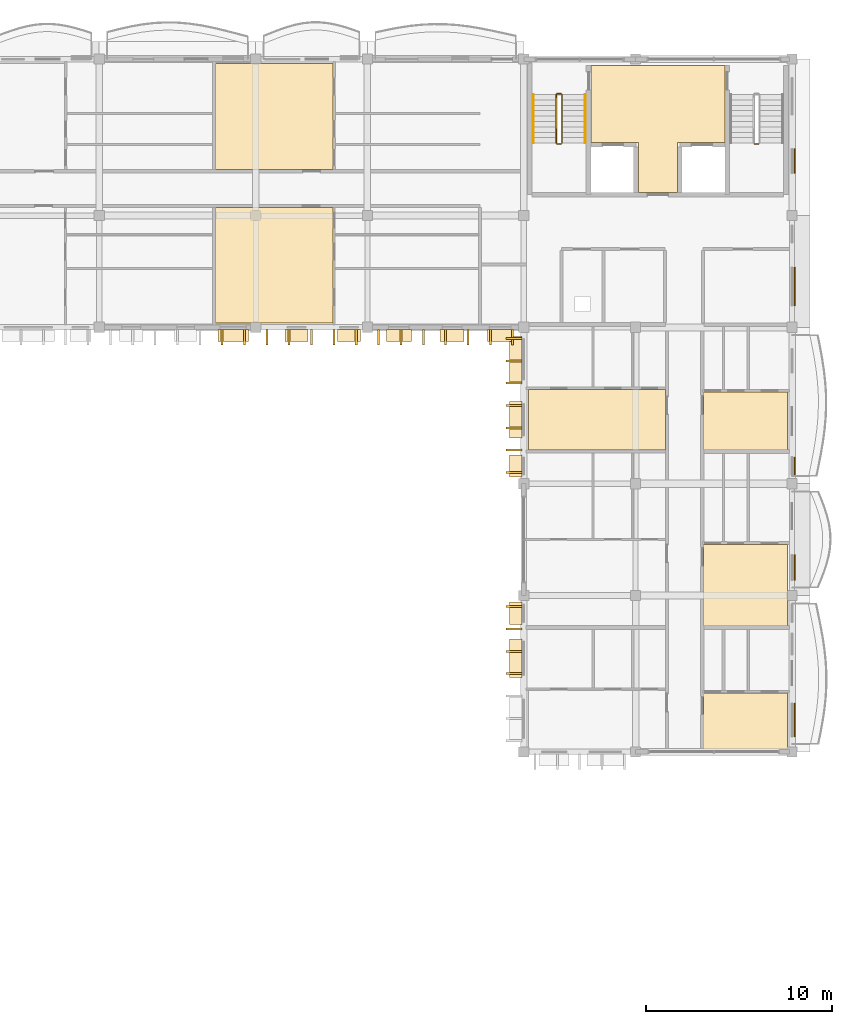
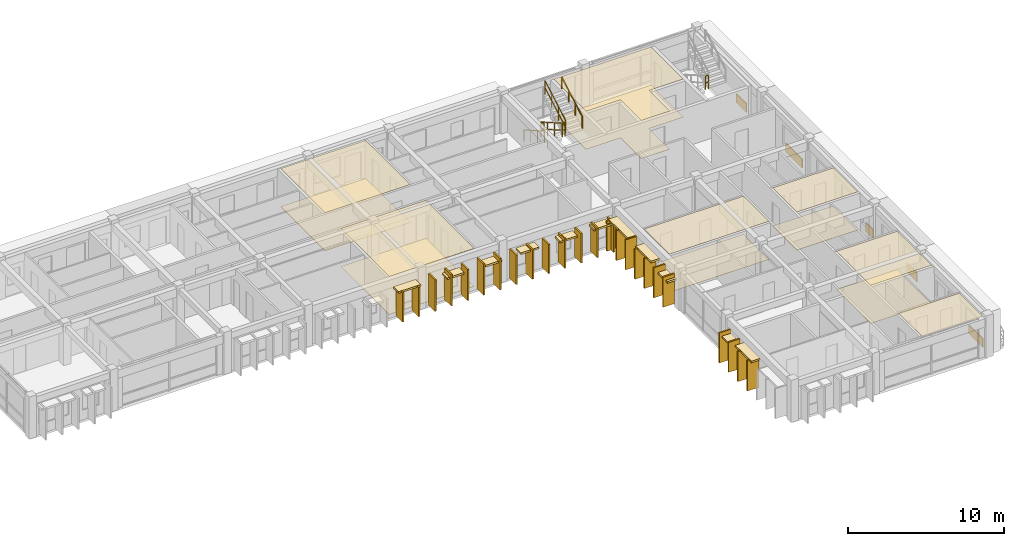
# One storey, part 28 of 31: 54 coverings, 7 railings.
"""IFC4 building model written with IfcOpenShell, lengths in metres."""

import ifcopenshell
import ifcopenshell.guid

model = None  # the IFC model being written
_history = None  # IfcOwnerHistory: only IFC2X3 demands one
_inside = {}  # id of a spatial element -> (the spatial element, [elements in it])
_under = {}  # id of a project, library or spatial element -> (it, [spatial elements below it])
_declared = {}  # id of a project -> (the project, [libraries it declares])
_typed = {}  # id of a type object -> (the type object, [elements of that type])
_made_of = {}  # id of a material, layer set ... -> (it, [elements and type objects made of it])


def new_model(schema):
    """Start an empty IFC model of exactly this schema.

    Asked for "IFC4X3", IfcOpenShell would pick the latest addendum, in which some entities
    have other attributes; the version numbers below select the first issue.
    IFC2X3 requires an IfcOwnerHistory on every rooted entity: one is made here for all.
    """
    global model, _history
    if schema == "IFC4X3":
        model = ifcopenshell.file(schema_version=(4, 3, 0, 0))
    else:
        model = ifcopenshell.file(schema=schema)
    _inside.clear()
    _under.clear()
    _declared.clear()
    _typed.clear()
    _made_of.clear()
    _history = None
    if model.schema == "IFC2X3":
        org = make("IfcOrganization", Name="unknown")
        user = make(
            "IfcPersonAndOrganization",
            ThePerson=make("IfcPerson", FamilyName="unknown"),
            TheOrganization=org,
        )
        app = make(
            "IfcApplication",
            ApplicationDeveloper=org,
            Version="unknown",
            ApplicationFullName="unknown",
            ApplicationIdentifier="unknown",
        )
        _history = make(
            "IfcOwnerHistory",
            OwningUser=user,
            OwningApplication=app,
            ChangeAction="ADDED",
            CreationDate=0,
        )
    return model


def make(cls, **values):
    """One entity of the class cls with the attributes given. An attribute that is None is left unset."""
    return model.create_entity(
        cls, **{name: value for name, value in values.items() if value is not None}
    )


def rooted(cls, **values):
    """An entity with a GlobalId (a new one), such as an element, a storey or a relation."""
    return make(cls, GlobalId=ifcopenshell.guid.new(), OwnerHistory=_history, **values)


def si_unit(unit_type, name, prefix=None):
    """IfcSIUnit, for example si_unit("LENGTHUNIT", "METRE", prefix="MILLI")."""
    return make("IfcSIUnit", UnitType=unit_type, Prefix=prefix, Name=name)


def assignment(units):
    """IfcUnitAssignment: the units of a project."""
    return None if units is None else make("IfcUnitAssignment", Units=units)


def point(xyz):
    """IfcCartesianPoint."""
    return None if xyz is None else make("IfcCartesianPoint", Coordinates=xyz)


def direction(xyz):
    """IfcDirection."""
    return None if xyz is None else make("IfcDirection", DirectionRatios=xyz)


def frame(location, z_axis=None, x_axis=None):
    """IfcAxis2Placement3D, a coordinate frame: its origin and axes. An axis left out is left unset."""
    return make(
        "IfcAxis2Placement3D",
        Location=point(location),
        Axis=direction(z_axis),
        RefDirection=direction(x_axis),
    )


def frame_2d(location, x_axis=None):
    """IfcAxis2Placement2D, a coordinate frame in the plane: its origin and x axis."""
    return make(
        "IfcAxis2Placement2D", Location=point(location), RefDirection=direction(x_axis)
    )


def origin():
    """The frame at (0, 0, 0) with its axes left unset."""
    return frame((0.0, 0.0, 0.0))


def origin_2d():
    """The frame at (0, 0) in the plane with its x axis left unset."""
    return frame_2d((0.0, 0.0))


def place(relative_to, where):
    """IfcLocalPlacement: puts the frame where relative to a parent placement (None: the world)."""
    return make(
        "IfcLocalPlacement", PlacementRelTo=relative_to, RelativePlacement=where
    )


def context(
    kind, dimensions, precision=None, world=None, true_north=None, identifier=None
):
    """IfcGeometricRepresentationContext, for example the 3D "Model" context."""
    return make(
        "IfcGeometricRepresentationContext",
        ContextIdentifier=identifier,
        ContextType=kind,
        CoordinateSpaceDimension=dimensions,
        Precision=precision,
        WorldCoordinateSystem=world,
        TrueNorth=true_north,
    )


def subcontext(parent, identifier, kind, view, scale=None):
    """IfcGeometricRepresentationSubContext, for example "Body" below "Model"."""
    return make(
        "IfcGeometricRepresentationSubContext",
        ContextIdentifier=identifier,
        ContextType=kind,
        ParentContext=parent,
        TargetScale=scale,
        TargetView=view,
    )


def project(units=None, contexts=None):
    """IfcProject with its units and contexts."""
    return rooted(
        "IfcProject",
        Name="project",
        RepresentationContexts=contexts,
        UnitsInContext=assignment(units),
    )


def spatial(cls, under=None, at=None, **own):
    """A site, building, storey or space (cls), placed at a placement, below another one or the project."""
    s = rooted(cls, ObjectPlacement=at, **own)
    if under is not None:
        _under.setdefault(under.id(), (under, []))[1].append(s)
    return s


def polyline(points):
    """IfcPolyline through the points."""
    return make("IfcPolyline", Points=[point(p) for p in points])


def profile(cls, at=None, kind="AREA", **sizes):
    """A parametric profile (cls). Its sizes go by their IFC names, for example OverallWidth=200.0."""
    return make(cls, ProfileType=kind, Position=at, **sizes)


def rectangle(**sizes):
    """IfcRectangleProfileDef."""
    return profile("IfcRectangleProfileDef", **sizes)


def outline(outer, holes=None, kind="AREA"):
    """IfcArbitraryClosedProfileDef: a profile drawn as a closed curve; with holes, ...WithVoids."""
    if holes is None:
        return make("IfcArbitraryClosedProfileDef", ProfileType=kind, OuterCurve=outer)
    return make(
        "IfcArbitraryProfileDefWithVoids",
        ProfileType=kind,
        OuterCurve=outer,
        InnerCurves=holes,
    )


def extrude(swept, where, along, depth):
    """IfcExtrudedAreaSolid: the profile swept, set in the frame where, extruded along a direction by depth."""
    return make(
        "IfcExtrudedAreaSolid",
        SweptArea=swept,
        Position=where,
        ExtrudedDirection=direction(along),
        Depth=depth,
    )


def shape(context_of_items, identifier, shape_type, items):
    """IfcShapeRepresentation: the items that make up one representation, for example the "Body"."""
    return make(
        "IfcShapeRepresentation",
        ContextOfItems=context_of_items,
        RepresentationIdentifier=identifier,
        RepresentationType=shape_type,
        Items=items,
    )


def material(Name=None, Category=None):
    """IfcMaterial."""
    return make("IfcMaterial", Name=Name, Category=Category)


def layer(
    of_material, thickness, ventilated=None, Name=None, Category=None, Priority=None
):
    """IfcMaterialLayer: one layer of a wall or slab, of a material (None: an air gap)."""
    return make(
        "IfcMaterialLayer",
        Material=of_material,
        LayerThickness=thickness,
        IsVentilated=ventilated,
        Name=Name,
        Category=Category,
        Priority=Priority,
    )


def layer_set(layers, Name=None):
    """IfcMaterialLayerSet."""
    return make("IfcMaterialLayerSet", MaterialLayers=layers, LayerSetName=Name)


def made_of(thing, what):
    """Note that an element or type object is made of a material, layer set ...; save() writes the relation."""
    if what is not None:
        _made_of.setdefault(what.id(), (what, []))[1].append(thing)
    return thing


def type_object(cls, material=None, **own):
    """A type object (cls), such as IfcWallType, which elements share."""
    return made_of(rooted(cls, **own), material)


def element(
    cls,
    number,
    at=None,
    inside=None,
    cuts=None,
    type_object=None,
    material=None,
    context=None,
    identifier="Body",
    shape_type=None,
    held_by="IfcProductDefinitionShape",
    body=None,
    shapes=None,
    **own,
):
    """One element of the class cls, such as IfcWall. Its Tag is "e" and its number.

    at: its placement. inside: the storey or other place that contains it. cuts: it is an
    opening in that element (IfcRelVoidsElement). A single representation is given by context,
    identifier, shape_type and body (its items); several are given by shapes. held_by: the class
    of the entity that holds the representations. save() writes the other relations.
    """
    e = rooted(cls, Tag="e%d" % number, ObjectPlacement=at, **own)
    if body is not None:
        shapes = [shape(context, identifier, shape_type, body)]
    if shapes is not None:
        e.Representation = make(held_by, Representations=shapes)
    if inside is not None:
        _inside.setdefault(inside.id(), (inside, []))[1].append(e)
    if cuts is not None:
        rooted(
            "IfcRelVoidsElement", RelatingBuildingElement=cuts, RelatedOpeningElement=e
        )
    if type_object is not None:
        _typed.setdefault(type_object.id(), (type_object, []))[1].append(e)
    return made_of(e, material)


def aggregate(whole, parts):
    """IfcRelAggregates: a whole, such as a stair, and the parts it consists of."""
    return rooted("IfcRelAggregates", RelatingObject=whole, RelatedObjects=parts)


def save(model, path):
    """Write the relations noted so far, then the file.

    IfcRelAggregates (storeys below a building ...), IfcRelContainedInSpatialStructure (elements
    in a storey), IfcRelDefinesByType, IfcRelAssociatesMaterial and IfcRelDeclares: one each for
    every whole, place, type object, material and project.
    """
    for whole, parts in _under.values():
        aggregate(whole, parts)
    for where, things in _inside.values():
        rooted(
            "IfcRelContainedInSpatialStructure",
            RelatedElements=things,
            RelatingStructure=where,
        )
    for kind, things in _typed.values():
        rooted("IfcRelDefinesByType", RelatedObjects=things, RelatingType=kind)
    for what, things in _made_of.values():
        rooted("IfcRelAssociatesMaterial", RelatedObjects=things, RelatingMaterial=what)
    for by, libraries in _declared.values():
        rooted("IfcRelDeclares", RelatingContext=by, RelatedDefinitions=libraries)
    model.write(path)


model = new_model("IFC4")

# Units and contexts
model_context = context("Model", 3, precision=1e-05, world=origin(), true_north=direction((0.0, 1.0)))
body_context = subcontext(model_context, "Body", "Model", "MODEL_VIEW")
ifc_project = project(units=[si_unit("LENGTHUNIT", "METRE"), si_unit("AREAUNIT", "SQUARE_METRE"), si_unit("VOLUMEUNIT", "CUBIC_METRE"), si_unit("PLANEANGLEUNIT", "RADIAN"), si_unit("MASSUNIT", "GRAM", prefix="KILO"), si_unit("THERMODYNAMICTEMPERATUREUNIT", "KELVIN")], contexts=[model_context])

# Site, building, storey
site_placement = place(None, origin())
site = spatial("IfcSite", under=ifc_project, at=site_placement, CompositionType="ELEMENT")
building_placement = place(site_placement, origin())
building = spatial("IfcBuilding", under=site, at=building_placement, Name="Thalorik Housing Commons", CompositionType="ELEMENT")
storey_placement = place(building_placement, frame((0.0, 0.0, 37.800048828125)))
storey = spatial("IfcBuildingStorey", under=building, at=storey_placement, Name="L11", CompositionType="ELEMENT", Elevation=37.800048828125)

# Coverings
ifc_material_1 = material(Name="Cobalt blue glazed ceramic facade tile panel", Category="masonry")
ifc_layer_1 = layer(ifc_material_1, 0.06005859375, Name="Cobalt blue glazed ceramic facade tile panel", Category="masonry")
ifc_layer_set_1 = layer_set([ifc_layer_1], Name="Cobalt blue glazed ceramic facade tile panel")
covering_type_1 = type_object("IfcCoveringType", Name="ARC-CLD-BLU-60", PredefinedType="CLADDING", material=ifc_layer_set_1)
covering_1_placement = place(storey_placement, frame((166.9423828125, 111.39501953125, 0.0498046875), z_axis=(0.0, 0.0, 1.0), x_axis=(0.0, 1.0, 0.0)))
element("IfcCovering", 1, at=covering_1_placement, inside=storey, type_object=covering_type_1, Name="L11 De Stijl Recessed Window Spandrel 3167", PredefinedType="CLADDING", context=body_context, shape_type="SweptSolid", body=[
    extrude(rectangle(XDim=2.080078125, YDim=0.06005859375, at=origin_2d()), origin(), (0.0, 0.0, 1.0), 0.699951171875),
])
covering_2_placement = place(storey_placement, frame((166.9423828125, 96.302978515625, 0.0498046875), z_axis=(0.0, 0.0, 1.0), x_axis=(0.0, 1.0, 0.0)))
element("IfcCovering", 2, at=covering_2_placement, inside=storey, type_object=covering_type_1, Name="L11 De Stijl Recessed Window Spandrel 3263", PredefinedType="CLADDING", context=body_context, shape_type="SweptSolid", body=[
    extrude(rectangle(XDim=1.35009765625, YDim=0.06005859375, at=origin_2d()), origin(), (0.0, 0.0, 1.0), 0.699951171875),
])
ifc_material_2 = material(Name="Precast concrete C40/50", Category="concrete")
ifc_layer_2 = layer(ifc_material_2, 0.85009765625, Name="Precast concrete C40/50", Category="concrete")
ifc_layer_set_2 = layer_set([ifc_layer_2], Name="Precast concrete C40/50")
covering_type_2 = type_object("IfcCoveringType", Name="ARC-CLD-FIN-850", PredefinedType="CLADDING", material=ifc_layer_set_2)
for number, where, z_axis, x_axis, name in (
    (3, (136.199951171875, 108.66748046875, 0.0400390625), (0.0, 0.0, 1.0), (1.0, 0.0, 0.0), "L11 Courtyard Precast Vertical Brise-Soleil Fin 3211"),
    (4, (137.39990234375, 108.66748046875, 0.0400390625), (0.0, 0.0, 1.0), (1.0, 0.0, 0.0), "L11 Courtyard Precast Vertical Brise-Soleil Fin 3212"),
):
    element("IfcCovering", number, at=place(storey_placement, frame(where, z_axis=z_axis, x_axis=x_axis)), inside=storey, type_object=covering_type_2, Name=name, PredefinedType="CLADDING", context=body_context, shape_type="SweptSolid", body=[
        extrude(rectangle(XDim=0.110107421875, YDim=0.85009765625, at=origin_2d()), origin(), (0.0, 0.0, 1.0), 2.294921875),
    ])
for number, where, z_axis, x_axis, name in (
    (5, (138.60009765625, 108.66748046875, 0.0400390625), (0.0, 0.0, 1.0), (1.0, 0.0, 0.0), "L11 Courtyard Precast Vertical Brise-Soleil Fin 3216"),
    (6, (139.800048828125, 108.66748046875, 0.0400390625), (0.0, 0.0, 1.0), (1.0, 0.0, 0.0), "L11 Courtyard Precast Vertical Brise-Soleil Fin 3217"),
    (7, (141.0, 108.66748046875, 0.0400390625), (0.0, 0.0, 1.0), (1.0, 0.0, 0.0), "L11 Courtyard Precast Vertical Brise-Soleil Fin 3218"),
    (8, (142.199951171875, 108.66748046875, 0.0400390625), (0.0, 0.0, 1.0), (1.0, 0.0, 0.0), "L11 Courtyard Precast Vertical Brise-Soleil Fin 3219"),
    (9, (143.39990234375, 108.66748046875, 0.0400390625), (0.0, 0.0, 1.0), (1.0, 0.0, 0.0), "L11 Courtyard Precast Vertical Brise-Soleil Fin 3220"),
):
    element("IfcCovering", number, at=place(storey_placement, frame(where, z_axis=z_axis, x_axis=x_axis)), inside=storey, type_object=covering_type_2, Name=name, PredefinedType="CLADDING", context=body_context, shape_type="SweptSolid", body=[
        extrude(rectangle(XDim=0.110107421875, YDim=0.85009765625, at=origin_2d()), origin(), (0.0, 0.0, 1.0), 2.445068359375),
    ])
for number, where, z_axis, x_axis, name in (
    (10, (144.60009765625, 108.66748046875, 0.0400390625), (0.0, 0.0, 1.0), (1.0, 0.0, 0.0), "L11 Courtyard Precast Vertical Brise-Soleil Fin 3223"),
    (11, (145.800048828125, 108.66748046875, 0.0400390625), (0.0, 0.0, 1.0), (1.0, 0.0, 0.0), "L11 Courtyard Precast Vertical Brise-Soleil Fin 3224"),
    (12, (147.0, 108.66748046875, 0.0400390625), (0.0, 0.0, 1.0), (1.0, 0.0, 0.0), "L11 Courtyard Precast Vertical Brise-Soleil Fin 3225"),
    (13, (148.199951171875, 108.66748046875, 0.0400390625), (0.0, 0.0, 1.0), (1.0, 0.0, 0.0), "L11 Courtyard Precast Vertical Brise-Soleil Fin 3226"),
    (14, (149.39990234375, 108.66748046875, 0.0400390625), (0.0, 0.0, 1.0), (1.0, 0.0, 0.0), "L11 Courtyard Precast Vertical Brise-Soleil Fin 3227"),
    (15, (150.60009765625, 108.66748046875, 0.0400390625), (0.0, 0.0, 1.0), (1.0, 0.0, 0.0), "L11 Courtyard Precast Vertical Brise-Soleil Fin 3228"),
    (16, (151.800048828125, 108.66748046875, 0.0400390625), (0.0, 0.0, 1.0), (1.0, 0.0, 0.0), "L11 Courtyard Precast Vertical Brise-Soleil Fin 3229"),
):
    element("IfcCovering", number, at=place(storey_placement, frame(where, z_axis=z_axis, x_axis=x_axis)), inside=storey, type_object=covering_type_2, Name=name, PredefinedType="CLADDING", context=body_context, shape_type="SweptSolid", body=[
        extrude(rectangle(XDim=0.110107421875, YDim=0.85009765625, at=origin_2d()), origin(), (0.0, 0.0, 1.0), 2.294921875),
    ])
for number, where, z_axis, x_axis, name in (
    (17, (151.867431640625, 108.60009765625, 0.0400390625), (0.0, 0.0, 1.0), (0.0, -1.0, 0.0), "L11 Courtyard Precast Vertical Brise-Soleil Fin 3233"),
    (18, (151.867431640625, 107.39990234375, 0.0400390625), (0.0, 0.0, 1.0), (0.0, -1.0, 0.0), "L11 Courtyard Precast Vertical Brise-Soleil Fin 3234"),
    (19, (151.867431640625, 106.199951171875, 0.0400390625), (0.0, 0.0, 1.0), (0.0, -1.0, 0.0), "L11 Courtyard Precast Vertical Brise-Soleil Fin 3235"),
    (20, (151.867431640625, 105.0, 0.0400390625), (0.0, 0.0, 1.0), (0.0, -1.0, 0.0), "L11 Courtyard Precast Vertical Brise-Soleil Fin 3236"),
    (21, (151.867431640625, 103.800048828125, 0.0400390625), (0.0, 0.0, 1.0), (0.0, -1.0, 0.0), "L11 Courtyard Precast Vertical Brise-Soleil Fin 3237"),
    (22, (151.867431640625, 102.60009765625, 0.0400390625), (0.0, 0.0, 1.0), (0.0, -1.0, 0.0), "L11 Courtyard Precast Vertical Brise-Soleil Fin 3238"),
    (23, (151.867431640625, 101.39990234375, 0.0400390625), (0.0, 0.0, 1.0), (0.0, -1.0, 0.0), "L11 Courtyard Precast Vertical Brise-Soleil Fin 3239"),
    (24, (151.867431640625, 94.199951171875, 0.0400390625), (0.0, 0.0, 1.0), (0.0, -1.0, 0.0), "L11 Courtyard Precast Vertical Brise-Soleil Fin 3243"),
    (25, (151.867431640625, 93.0, 0.0400390625), (0.0, 0.0, 1.0), (0.0, -1.0, 0.0), "L11 Courtyard Precast Vertical Brise-Soleil Fin 3244"),
    (26, (151.867431640625, 91.800048828125, 0.0400390625), (0.0, 0.0, 1.0), (0.0, -1.0, 0.0), "L11 Courtyard Precast Vertical Brise-Soleil Fin 3245"),
    (27, (151.867431640625, 90.60009765625, 0.0400390625), (0.0, 0.0, 1.0), (0.0, -1.0, 0.0), "L11 Courtyard Precast Vertical Brise-Soleil Fin 3246"),
):
    element("IfcCovering", number, at=place(storey_placement, frame(where, z_axis=z_axis, x_axis=x_axis)), inside=storey, type_object=covering_type_2, Name=name, PredefinedType="CLADDING", context=body_context, shape_type="SweptSolid", body=[
        extrude(rectangle(XDim=0.110107421875, YDim=0.85009765625, at=origin_2d()), origin(), (0.0, 0.0, 1.0), 2.344970703125),
    ])
ifc_layer_3 = layer(ifc_material_2, 0.64990234375, Name="Precast concrete C40/50", Category="concrete")
ifc_layer_set_3 = layer_set([ifc_layer_3], Name="Precast concrete C40/50")
covering_type_3 = type_object("IfcCoveringType", Name="ARC-CLD-HOOD-650", PredefinedType="CLADDING", material=ifc_layer_set_3)
covering_3_placement = place(storey_placement, frame((136.7900390625, 108.767578125, 2.22509765625), z_axis=(0.0, 0.0, 1.0), x_axis=(1.0, 0.0, 0.0)))
element("IfcCovering", 28, at=covering_3_placement, inside=storey, type_object=covering_type_3, Name="L11 Courtyard Precast Window Sun-Hood 3215", PredefinedType="CLADDING", context=body_context, shape_type="SweptSolid", body=[
    extrude(rectangle(XDim=1.639892578125, YDim=0.64990234375, at=origin_2d()), origin(), (0.0, 0.0, 1.0), 0.139892578125),
])
for number, where, z_axis, x_axis, name in (
    (29, (140.199951171875, 108.767578125, 2.0400390625), (0.0, 0.0, 1.0), (1.0, 0.0, 0.0), "L11 Courtyard Precast Window Sun-Hood 3221"),
    (30, (143.010009765625, 108.767578125, 2.0400390625), (0.0, 0.0, 1.0), (1.0, 0.0, 0.0), "L11 Courtyard Precast Window Sun-Hood 3222"),
):
    element("IfcCovering", number, at=place(storey_placement, frame(where, z_axis=z_axis, x_axis=x_axis)), inside=storey, type_object=covering_type_3, Name=name, PredefinedType="CLADDING", context=body_context, shape_type="SweptSolid", body=[
        extrude(rectangle(XDim=1.239990234375, YDim=0.64990234375, at=origin_2d()), origin(), (0.0, 0.0, 1.0), 0.139892578125),
    ])
covering_4_placement = place(storey_placement, frame((145.68994140625, 108.767578125, 2.08984375), z_axis=(0.0, 0.0, 1.0), x_axis=(1.0, 0.0, 0.0)))
element("IfcCovering", 31, at=covering_4_placement, inside=storey, type_object=covering_type_3, Name="L11 Courtyard Precast Window Sun-Hood 3230", PredefinedType="CLADDING", context=body_context, shape_type="SweptSolid", body=[
    extrude(rectangle(XDim=1.340087890625, YDim=0.64990234375, at=origin_2d()), origin(), (0.0, 0.0, 1.0), 0.139892578125),
])
covering_5_placement = place(storey_placement, frame((148.550048828125, 108.767578125, 1.990234375), z_axis=(0.0, 0.0, 1.0), x_axis=(1.0, 0.0, 0.0)))
element("IfcCovering", 32, at=covering_5_placement, inside=storey, type_object=covering_type_3, Name="L11 Courtyard Precast Window Sun-Hood 3231", PredefinedType="CLADDING", context=body_context, shape_type="SweptSolid", body=[
    extrude(rectangle(XDim=1.2900390625, YDim=0.64990234375, at=origin_2d()), origin(), (0.0, 0.0, 1.0), 0.139892578125),
])
covering_6_placement = place(storey_placement, frame((151.1298828125, 108.767578125, 2.0400390625), z_axis=(0.0, 0.0, 1.0), x_axis=(1.0, 0.0, 0.0)))
element("IfcCovering", 33, at=covering_6_placement, inside=storey, type_object=covering_type_3, Name="L11 Courtyard Precast Window Sun-Hood 3232", PredefinedType="CLADDING", context=body_context, shape_type="SweptSolid", body=[
    extrude(rectangle(XDim=1.389892578125, YDim=0.64990234375, at=origin_2d()), origin(), (0.0, 0.0, 1.0), 0.139892578125),
])
covering_7_placement = place(storey_placement, frame((151.967529296875, 107.472412109375, 2.27490234375), z_axis=(0.0, 0.0, 1.0), x_axis=(0.0, -1.0, 0.0)))
element("IfcCovering", 34, at=covering_7_placement, inside=storey, type_object=covering_type_3, Name="L11 Courtyard Precast Window Sun-Hood 3240", PredefinedType="CLADDING", context=body_context, shape_type="SweptSolid", body=[
    extrude(rectangle(XDim=2.43994140625, YDim=0.64990234375, at=origin_2d()), origin(), (0.0, 0.0, 1.0), 0.139892578125),
])
covering_8_placement = place(storey_placement, frame((151.967529296875, 104.232421875, 2.27490234375), z_axis=(0.0, 0.0, 1.0), x_axis=(0.0, -1.0, 0.0)))
element("IfcCovering", 35, at=covering_8_placement, inside=storey, type_object=covering_type_3, Name="L11 Courtyard Precast Window Sun-Hood 3241", PredefinedType="CLADDING", context=body_context, shape_type="SweptSolid", body=[
    extrude(rectangle(XDim=1.9599609375, YDim=0.64990234375, at=origin_2d()), origin(), (0.0, 0.0, 1.0), 0.139892578125),
])
for number, where, z_axis, x_axis, name in (
    (36, (151.967529296875, 101.760009765625, 1.93994140625), (0.0, 0.0, 1.0), (0.0, -1.0, 0.0), "L11 Courtyard Precast Window Sun-Hood 3242"),
    (37, (151.967529296875, 93.844970703125, 1.93994140625), (0.0, 0.0, 1.0), (0.0, -1.0, 0.0), "L11 Courtyard Precast Window Sun-Hood 3250"),
):
    element("IfcCovering", number, at=place(storey_placement, frame(where, z_axis=z_axis, x_axis=x_axis)), inside=storey, type_object=covering_type_3, Name=name, PredefinedType="CLADDING", context=body_context, shape_type="SweptSolid", body=[
        extrude(rectangle(XDim=1.18994140625, YDim=0.64990234375, at=origin_2d()), origin(), (0.0, 0.0, 1.0), 0.139892578125),
    ])
covering_9_placement = place(storey_placement, frame((151.967529296875, 91.425048828125, 2.25), z_axis=(0.0, 0.0, 1.0), x_axis=(0.0, -1.0, 0.0)))
element("IfcCovering", 38, at=covering_9_placement, inside=storey, type_object=covering_type_3, Name="L11 Courtyard Precast Window Sun-Hood 3251", PredefinedType="CLADDING", context=body_context, shape_type="SweptSolid", body=[
    extrude(rectangle(XDim=2.06005859375, YDim=0.64990234375, at=origin_2d()), origin(), (0.0, 0.0, 1.0), 0.139892578125),
])
ifc_material_3 = material(Name="Terracotta red mineral fibre-cement panel", Category="masonry")
ifc_layer_4 = layer(ifc_material_3, 0.054931640625, Name="Terracotta red mineral fibre-cement panel", Category="masonry")
ifc_layer_set_4 = layer_set([ifc_layer_4], Name="Terracotta red mineral fibre-cement panel")
covering_type_4 = type_object("IfcCoveringType", Name="ARC-CLD-RED-55", PredefinedType="CLADDING", material=ifc_layer_set_4)
covering_10_placement = place(storey_placement, frame((166.93994140625, 88.11376953125, 0.0498046875), z_axis=(0.0, 0.0, 1.0), x_axis=(0.0, 1.0, 0.0)))
element("IfcCovering", 39, at=covering_10_placement, inside=storey, type_object=covering_type_4, Name="L11 De Stijl Recessed Window Spandrel 3261", PredefinedType="CLADDING", context=body_context, shape_type="SweptSolid", body=[
    extrude(rectangle(XDim=1.820068359375, YDim=0.054931640625, at=origin_2d()), origin(), (0.0, 0.0, 1.0), 0.699951171875),
])
ifc_material_4 = material(Name="Mineral ochre architectural terracotta panel", Category="masonry")
ifc_layer_5 = layer(ifc_material_4, 0.06494140625, Name="Mineral ochre architectural terracotta panel", Category="masonry")
ifc_layer_set_5 = layer_set([ifc_layer_5], Name="Mineral ochre architectural terracotta panel")
covering_type_5 = type_object("IfcCoveringType", Name="ARC-CLD-YEL-65", PredefinedType="CLADDING", material=ifc_layer_set_5)
covering_11_placement = place(storey_placement, frame((166.945068359375, 118.13134765625, 0.0498046875), z_axis=(0.0, 0.0, 1.0), x_axis=(0.0, 1.0, 0.0)))
element("IfcCovering", 40, at=covering_11_placement, inside=storey, type_object=covering_type_5, Name="L11 De Stijl Recessed Window Spandrel 3169", PredefinedType="CLADDING", context=body_context, shape_type="SweptSolid", body=[
    extrude(rectangle(XDim=1.300048828125, YDim=0.06494140625, at=origin_2d()), origin(), (0.0, 0.0, 1.0), 0.699951171875),
])
covering_12_placement = place(storey_placement, frame((166.945068359375, 101.760009765625, 0.0498046875), z_axis=(0.0, 0.0, 1.0), x_axis=(0.0, 1.0, 0.0)))
element("IfcCovering", 41, at=covering_12_placement, inside=storey, type_object=covering_type_5, Name="L11 De Stijl Recessed Window Spandrel 3265", PredefinedType="CLADDING", context=body_context, shape_type="SweptSolid", body=[
    extrude(rectangle(XDim=0.949951171875, YDim=0.06494140625, at=origin_2d()), origin(), (0.0, 0.0, 1.0), 0.699951171875),
])
ifc_material_5 = material(Name="Perforated acoustic gypsum ceiling board")
ifc_layer_6 = layer(ifc_material_5, 0.014892578125, Name="Perforated acoustic gypsum ceiling board")
ifc_layer_set_6 = layer_set([ifc_layer_6], Name="Perforated acoustic gypsum ceiling board")
covering_type_6 = type_object("IfcCoveringType", Name="ARC-COV-CEIL-01", PredefinedType="CEILING", material=ifc_layer_set_6)
covering_13_placement = place(storey_placement, frame((0.0, 0.0, 2.98486328125)))
element("IfcCovering", 42, at=covering_13_placement, inside=storey, type_object=covering_type_6, Name="L11 Sunlit Wintergarden Lounge Suspended Ceiling", PredefinedType="CEILING", context=body_context, shape_type="SweptSolid", body=[
    extrude(outline(polyline([(166.56005859375, 89.567626953125), (162.06005859375, 89.567626953125), (162.06005859375, 86.5400390625), (166.56005859375, 86.5400390625), (166.56005859375, 89.567626953125)])), origin(), (0.0, 0.0, 1.0), 0.01513671875),
])
ifc_material_6 = material(Name="Mineral fibre acoustic ceiling tile")
ifc_layer_7 = layer(ifc_material_6, 0.01806640625, Name="Mineral fibre acoustic ceiling tile")
ifc_layer_set_7 = layer_set([ifc_layer_7], Name="Mineral fibre acoustic ceiling tile")
covering_type_7 = type_object("IfcCoveringType", Name="ARC-COV-CEIL-02", PredefinedType="CEILING", material=ifc_layer_set_7)
covering_14_placement = place(storey_placement, frame((0.0, 0.0, 2.98193359375)))
element("IfcCovering", 43, at=covering_14_placement, inside=storey, type_object=covering_type_7, Name="L11 Block B Firefighting Lift Lobby Suspended Ceiling", PredefinedType="CEILING", context=body_context, shape_type="SweptSolid", body=[
    extrude(outline(polyline([(158.550048828125, 116.449951171875), (160.64990234375, 116.449951171875), (160.650146484375, 119.1201171875), (163.199951171875, 119.1201171875), (163.199951171875, 123.25), (156.0, 123.25), (156.0, 119.1201171875), (158.550048828125, 119.1201171875), (158.550048828125, 116.449951171875)])), origin(), (0.0, 0.0, 1.0), 0.01806640625),
])
covering_15_placement = place(storey_placement, frame((0.0, 0.0, 2.98193359375)))
element("IfcCovering", 44, at=covering_15_placement, inside=storey, type_object=covering_type_7, Name="L11 Living Dining Room Suspended Ceiling", PredefinedType="CEILING", context=body_context, shape_type="SweptSolid", body=[
    extrude(outline(polyline([(166.56005859375, 97.5458984375), (162.06005859375, 97.5458984375), (162.06005859375, 93.159912109375), (166.56005859375, 93.159912109375), (166.56005859375, 97.5458984375)])), origin(), (0.0, 0.0, 1.0), 0.01806640625),
])
ifc_material_7 = material(Name="Slatted timber acoustic hall baffle ceiling", Category="wood")
ifc_layer_8 = layer(ifc_material_7, 0.02197265625, Name="Slatted timber acoustic hall baffle ceiling", Category="wood")
ifc_layer_set_8 = layer_set([ifc_layer_8], Name="Slatted timber acoustic hall baffle ceiling")
covering_type_8 = type_object("IfcCoveringType", Name="ARC-COV-CEIL-03", PredefinedType="CEILING", material=ifc_layer_set_8)
covering_16_placement = place(storey_placement, frame((0.0, 0.0, 2.97802734375)))
element("IfcCovering", 45, at=covering_16_placement, inside=storey, type_object=covering_type_8, Name="L11 Sunlit Wintergarden Lounge Suspended Ceiling", PredefinedType="CEILING", context=body_context, shape_type="SweptSolid", body=[
    extrude(outline(polyline([(160.0, 105.864990234375), (152.639892578125, 105.864990234375), (152.639892578125, 102.610107421875), (160.0, 102.610107421875), (160.0, 105.864990234375)])), origin(), (0.0, 0.0, 1.0), 0.02197265625),
])
ifc_material_8 = material(Name="Moisture-resistant gypsum bathroom ceiling")
ifc_layer_9 = layer(ifc_material_8, 0.02490234375, Name="Moisture-resistant gypsum bathroom ceiling")
ifc_layer_set_9 = layer_set([ifc_layer_9], Name="Moisture-resistant gypsum bathroom ceiling")
covering_type_9 = type_object("IfcCoveringType", Name="ARC-COV-CEIL-04", PredefinedType="CEILING", material=ifc_layer_set_9)
covering_17_placement = place(storey_placement, frame((0.0, 0.0, 2.974853515625)))
element("IfcCovering", 46, at=covering_17_placement, inside=storey, type_object=covering_type_9, Name="L11 Sunlit Wintergarden Lounge Suspended Ceiling", PredefinedType="CEILING", context=body_context, shape_type="SweptSolid", body=[
    extrude(outline(polyline([(142.139892578125, 109.43994140625), (142.139892578125, 115.639892578125), (135.85009765625, 115.639892578125), (135.85009765625, 109.43994140625), (142.139892578125, 109.43994140625)])), origin(), (0.0, 0.0, 1.0), 0.025146484375),
])
covering_18_placement = place(storey_placement, frame((0.0, 0.0, 2.974853515625)))
element("IfcCovering", 47, at=covering_18_placement, inside=storey, type_object=covering_type_9, Name="L11 Family Lounge Suspended Ceiling", PredefinedType="CEILING", context=body_context, shape_type="SweptSolid", body=[
    extrude(outline(polyline([(166.56005859375, 105.728759765625), (162.06005859375, 105.728759765625), (162.06005859375, 102.610107421875), (166.56005859375, 102.610107421875), (166.56005859375, 105.728759765625)])), origin(), (0.0, 0.0, 1.0), 0.025146484375),
])
ifc_material_9 = material(Name="Fire-rated calcium silicate corridor ceiling")
ifc_layer_10 = layer(ifc_material_9, 0.030029296875, Name="Fire-rated calcium silicate corridor ceiling")
ifc_layer_set_10 = layer_set([ifc_layer_10], Name="Fire-rated calcium silicate corridor ceiling")
covering_type_10 = type_object("IfcCoveringType", Name="ARC-COV-CEIL-05", PredefinedType="CEILING", material=ifc_layer_set_10)
covering_19_placement = place(storey_placement, frame((0.0, 0.0, 2.969970703125)))
element("IfcCovering", 48, at=covering_19_placement, inside=storey, type_object=covering_type_10, Name="L11 Family Lounge Suspended Ceiling", PredefinedType="CEILING", context=body_context, shape_type="SweptSolid", body=[
    extrude(outline(polyline([(142.154296875, 117.659912109375), (142.154296875, 123.360107421875), (135.85009765625, 123.360107421875), (135.85009765625, 117.659912109375), (142.154296875, 117.659912109375)])), origin(), (0.0, 0.0, 1.0), 0.030029296875),
])
ifc_material_10 = material(Name="Slip-resistant quarry terracotta corridor tile", Category="masonry")
ifc_layer_11 = layer(ifc_material_10, 0.01611328125, Name="Slip-resistant quarry terracotta corridor tile", Category="masonry")
ifc_layer_set_11 = layer_set([ifc_layer_11], Name="Slip-resistant quarry terracotta corridor tile")
covering_type_11 = type_object("IfcCoveringType", Name="ARC-COV-FLR-02", PredefinedType="FLOORING", material=ifc_layer_set_11)
covering_20_placement = place(storey_placement, origin())
element("IfcCovering", 49, at=covering_20_placement, inside=storey, type_object=covering_type_11, Name="L11 Block B Firefighting Lift Lobby Flooring", PredefinedType="FLOORING", context=body_context, shape_type="SweptSolid", body=[
    extrude(outline(polyline([(158.550048828125, 116.449951171875), (160.64990234375, 116.449951171875), (160.650146484375, 119.1201171875), (163.199951171875, 119.1201171875), (163.199951171875, 123.25), (156.0, 123.25), (156.0, 119.1201171875), (158.550048828125, 119.1201171875), (158.550048828125, 116.449951171875)])), origin(), (0.0, 0.0, 1.0), 0.015869140625),
])
covering_21_placement = place(storey_placement, origin())
element("IfcCovering", 50, at=covering_21_placement, inside=storey, type_object=covering_type_11, Name="L11 Living Dining Room Flooring", PredefinedType="FLOORING", context=body_context, shape_type="SweptSolid", body=[
    extrude(outline(polyline([(166.56005859375, 97.5458984375), (162.06005859375, 97.5458984375), (162.06005859375, 93.159912109375), (166.56005859375, 93.159912109375), (166.56005859375, 97.5458984375)])), origin(), (0.0, 0.0, 1.0), 0.015869140625),
])
ifc_material_11 = material(Name="Cushioned natural linoleum nursery playroom flooring")
ifc_layer_12 = layer(ifc_material_11, 0.02001953125, Name="Cushioned natural linoleum nursery playroom flooring")
ifc_layer_set_12 = layer_set([ifc_layer_12], Name="Cushioned natural linoleum nursery playroom flooring")
covering_type_12 = type_object("IfcCoveringType", Name="ARC-COV-FLR-03", PredefinedType="FLOORING", material=ifc_layer_set_12)
covering_22_placement = place(storey_placement, origin())
element("IfcCovering", 51, at=covering_22_placement, inside=storey, type_object=covering_type_12, Name="L11 Sunlit Wintergarden Lounge Flooring", PredefinedType="FLOORING", context=body_context, shape_type="SweptSolid", body=[
    extrude(outline(polyline([(160.0, 105.864990234375), (152.639892578125, 105.864990234375), (152.639892578125, 102.610107421875), (160.0, 102.610107421875), (160.0, 105.864990234375)])), origin(), (0.0, 0.0, 1.0), 0.02001953125),
])
ifc_material_12 = material(Name="Sprung Brazilian oak assembly hall timber floor", Category="wood")
ifc_layer_13 = layer(ifc_material_12, 0.02392578125, Name="Sprung Brazilian oak assembly hall timber floor", Category="wood")
ifc_layer_set_13 = layer_set([ifc_layer_13], Name="Sprung Brazilian oak assembly hall timber floor")
covering_type_13 = type_object("IfcCoveringType", Name="ARC-COV-FLR-04", PredefinedType="FLOORING", material=ifc_layer_set_13)
covering_23_placement = place(storey_placement, origin())
element("IfcCovering", 52, at=covering_23_placement, inside=storey, type_object=covering_type_13, Name="L11 Sunlit Wintergarden Lounge Flooring", PredefinedType="FLOORING", context=body_context, shape_type="SweptSolid", body=[
    extrude(outline(polyline([(142.139892578125, 109.43994140625), (142.139892578125, 115.639892578125), (135.85009765625, 115.639892578125), (135.85009765625, 109.43994140625), (142.139892578125, 109.43994140625)])), origin(), (0.0, 0.0, 1.0), 0.02392578125),
])
covering_24_placement = place(storey_placement, origin())
element("IfcCovering", 53, at=covering_24_placement, inside=storey, type_object=covering_type_13, Name="L11 Family Lounge Flooring", PredefinedType="FLOORING", context=body_context, shape_type="SweptSolid", body=[
    extrude(outline(polyline([(166.56005859375, 105.728759765625), (162.06005859375, 105.728759765625), (162.06005859375, 102.610107421875), (166.56005859375, 102.610107421875), (166.56005859375, 105.728759765625)])), origin(), (0.0, 0.0, 1.0), 0.02392578125),
])
ifc_material_13 = material(Name="Heavy-duty porcelain metro vestibule tile")
ifc_layer_14 = layer(ifc_material_13, 0.028076171875, Name="Heavy-duty porcelain metro vestibule tile")
ifc_layer_set_14 = layer_set([ifc_layer_14], Name="Heavy-duty porcelain metro vestibule tile")
covering_type_14 = type_object("IfcCoveringType", Name="ARC-COV-FLR-05", PredefinedType="FLOORING", material=ifc_layer_set_14)
covering_25_placement = place(storey_placement, origin())
element("IfcCovering", 54, at=covering_25_placement, inside=storey, type_object=covering_type_14, Name="L11 Family Lounge Flooring", PredefinedType="FLOORING", context=body_context, shape_type="SweptSolid", body=[
    extrude(outline(polyline([(142.154296875, 117.659912109375), (142.154296875, 123.360107421875), (135.85009765625, 123.360107421875), (135.85009765625, 117.659912109375), (142.154296875, 117.659912109375)])), origin(), (0.0, 0.0, 1.0), 0.02783203125),
])

# Railings
ifc_material_14 = material(Name="Steel S355", Category="steel")
railing_type_1 = type_object("IfcRailingType", Name="ARC-RL-STR-GRD110", PredefinedType="GUARDRAIL", material=ifc_material_14)
railing_1_placement = place(storey_placement, frame((154.14990234375, 121.699951171875, 0.1650390625)))
element("IfcRailing", 55, at=railing_1_placement, inside=storey, type_object=railing_type_1, Name="L11 ST-B1 stair guard 1", PredefinedType="GUARDRAIL", context=body_context, shape_type="SweptSolid", body=[
    extrude(rectangle(XDim=0.048095703125, YDim=0.048095703125, at=origin_2d()), frame((0.0, 0.0, 1.076171875), z_axis=(0.0, -0.869172267526, 0.494509422927), x_axis=(1.0, 0.0, 0.0)), (0.0, 0.0, 1.0), 3.002685546875),
    extrude(rectangle(XDim=0.048095703125, YDim=0.048095703125, at=origin_2d()), frame((0.0, 0.0, 0.52587890625), z_axis=(0.0, -0.869172267526, 0.494509422927), x_axis=(1.0, 0.0, 0.0)), (0.0, 0.0, 1.0), 3.002685546875),
    extrude(rectangle(XDim=0.0419921875, YDim=0.0419921875, at=origin_2d()), origin(), (0.0, 0.0, 1.0), 1.052001953125),
    extrude(rectangle(XDim=0.0419921875, YDim=0.0419921875, at=origin_2d()), frame((0.0, -0.869873046875, 0.494873046875)), (0.0, 0.0, 1.0), 1.052001953125),
    extrude(rectangle(XDim=0.0419921875, YDim=0.0419921875, at=origin_2d()), frame((0.0, -1.739990234375, 0.989990234375)), (0.0, 0.0, 1.0), 1.052001953125),
    extrude(rectangle(XDim=0.0419921875, YDim=0.0419921875, at=origin_2d()), frame((0.0, -2.60986328125, 1.48486328125)), (0.0, 0.0, 1.0), 1.052001953125),
])
railing_2_placement = place(storey_placement, frame((154.199951171875, 119.0400390625, 1.64990234375)))
element("IfcRailing", 56, at=railing_2_placement, inside=storey, type_object=railing_type_1, Name="L11 ST-B1 stair guard 2", PredefinedType="GUARDRAIL", context=body_context, shape_type="SweptSolid", body=[
    extrude(rectangle(XDim=0.048095703125, YDim=0.048095703125, at=origin_2d()), frame((0.0, 0.0, 1.076171875), z_axis=(1.0, 0.0, 0.0), x_axis=(0.0, 1.0, 0.0)), (0.0, 0.0, 1.0), 0.199951171875),
    extrude(rectangle(XDim=0.048095703125, YDim=0.048095703125, at=origin_2d()), frame((0.0, 0.0, 0.52587890625), z_axis=(1.0, 0.0, 0.0), x_axis=(0.0, 1.0, 0.0)), (0.0, 0.0, 1.0), 0.199951171875),
    extrude(rectangle(XDim=0.0419921875, YDim=0.0419921875, at=origin_2d()), origin(), (0.0, 0.0, 1.0), 1.052001953125),
    extrude(rectangle(XDim=0.0419921875, YDim=0.0419921875, at=origin_2d()), frame((0.199951171875, 0.0, 0.0)), (0.0, 0.0, 1.0), 1.052001953125),
])
railing_3_placement = place(storey_placement, frame((154.449951171875, 119.090087890625, 1.81494140625)))
element("IfcRailing", 57, at=railing_3_placement, inside=storey, type_object=railing_type_1, Name="L11 ST-B1 stair guard 3", PredefinedType="GUARDRAIL", context=body_context, shape_type="SweptSolid", body=[
    extrude(rectangle(XDim=0.048095703125, YDim=0.048095703125, at=origin_2d()), frame((0.0, 0.0, 1.076171875), z_axis=(0.0, 0.869137319866, 0.494570843475), x_axis=(-1.0, 0.0, 0.0)), (0.0, 0.0, 1.0), 3.0029296875),
    extrude(rectangle(XDim=0.048095703125, YDim=0.048095703125, at=origin_2d()), frame((0.0, 0.0, 0.52587890625), z_axis=(0.0, 0.869137319866, 0.494570843475), x_axis=(-1.0, 0.0, 0.0)), (0.0, 0.0, 1.0), 3.0029296875),
    extrude(rectangle(XDim=0.0419921875, YDim=0.0419921875, at=origin_2d()), origin(), (0.0, 0.0, 1.0), 1.052001953125),
    extrude(rectangle(XDim=0.0419921875, YDim=0.0419921875, at=origin_2d()), frame((0.0, 0.869873046875, 0.4951171875)), (0.0, 0.0, 1.0), 1.052001953125),
    extrude(rectangle(XDim=0.0419921875, YDim=0.0419921875, at=origin_2d()), frame((0.0, 1.739990234375, 0.989990234375)), (0.0, 0.0, 1.0), 1.052001953125),
    extrude(rectangle(XDim=0.0419921875, YDim=0.0419921875, at=origin_2d()), frame((0.0, 2.60986328125, 1.485107421875)), (0.0, 0.0, 1.0), 1.052001953125),
])
for number, where, name in (
    (58, (154.199951171875, 121.75, 0.0), "L11 ST-B1 stair guard 4"),
    (59, (164.800048828125, 119.0400390625, 1.64990234375), "L11 ST-B2 stair guard 2"),
):
    element("IfcRailing", number, at=place(storey_placement, frame(where)), inside=storey, type_object=railing_type_1, Name=name, PredefinedType="GUARDRAIL", context=body_context, shape_type="SweptSolid", body=[
        extrude(rectangle(XDim=0.048095703125, YDim=0.048095703125, at=origin_2d()), frame((0.0, 0.0, 1.076171875), z_axis=(1.0, 0.0, 0.0), x_axis=(0.0, 1.0, 0.0)), (0.0, 0.0, 1.0), 0.199951171875),
        extrude(rectangle(XDim=0.048095703125, YDim=0.048095703125, at=origin_2d()), frame((0.0, 0.0, 0.52587890625), z_axis=(1.0, 0.0, 0.0), x_axis=(0.0, 1.0, 0.0)), (0.0, 0.0, 1.0), 0.199951171875),
        extrude(rectangle(XDim=0.0419921875, YDim=0.0419921875, at=origin_2d()), origin(), (0.0, 0.0, 1.0), 1.052001953125),
        extrude(rectangle(XDim=0.0419921875, YDim=0.0419921875, at=origin_2d()), frame((0.199951171875, 0.0, 0.0)), (0.0, 0.0, 1.0), 1.052001953125),
    ])
railing_type_2 = type_object("IfcRailingType", Name="ARC-RL-STR-HR092", PredefinedType="HANDRAIL", material=ifc_material_14)
railing_4_placement = place(storey_placement, frame((152.89990234375, 121.699951171875, 0.1650390625)))
element("IfcRailing", 60, at=railing_4_placement, inside=storey, type_object=railing_type_2, Name="L11 ST-B1 stair handrail 1", PredefinedType="HANDRAIL", context=body_context, shape_type="SweptSolid", body=[
    extrude(rectangle(XDim=0.048095703125, YDim=0.048095703125, at=origin_2d()), frame((0.0, 0.0, 0.89599609375), z_axis=(0.0, -0.869172267526, 0.494509422927), x_axis=(1.0, 0.0, 0.0)), (0.0, 0.0, 1.0), 3.002685546875),
    extrude(rectangle(XDim=0.0419921875, YDim=0.0419921875, at=origin_2d()), origin(), (0.0, 0.0, 1.0), 0.871826171875),
    extrude(rectangle(XDim=0.0419921875, YDim=0.0419921875, at=origin_2d()), frame((0.0, -0.869873046875, 0.494873046875)), (0.0, 0.0, 1.0), 0.871826171875),
    extrude(rectangle(XDim=0.0419921875, YDim=0.0419921875, at=origin_2d()), frame((0.0, -1.739990234375, 0.989990234375)), (0.0, 0.0, 1.0), 0.871826171875),
    extrude(rectangle(XDim=0.0419921875, YDim=0.0419921875, at=origin_2d()), frame((0.0, -2.60986328125, 1.48486328125)), (0.0, 0.0, 1.0), 0.871826171875),
])
railing_5_placement = place(storey_placement, frame((155.699951171875, 119.090087890625, 1.81494140625)))
element("IfcRailing", 61, at=railing_5_placement, inside=storey, type_object=railing_type_2, Name="L11 ST-B1 stair handrail 2", PredefinedType="HANDRAIL", context=body_context, shape_type="SweptSolid", body=[
    extrude(rectangle(XDim=0.048095703125, YDim=0.048095703125, at=origin_2d()), frame((0.0, 0.0, 0.89599609375), z_axis=(0.0, 0.869137319866, 0.494570843475), x_axis=(-1.0, 0.0, 0.0)), (0.0, 0.0, 1.0), 3.0029296875),
    extrude(rectangle(XDim=0.0419921875, YDim=0.0419921875, at=origin_2d()), origin(), (0.0, 0.0, 1.0), 0.871826171875),
    extrude(rectangle(XDim=0.0419921875, YDim=0.0419921875, at=origin_2d()), frame((0.0, 0.869873046875, 0.4951171875)), (0.0, 0.0, 1.0), 0.871826171875),
    extrude(rectangle(XDim=0.0419921875, YDim=0.0419921875, at=origin_2d()), frame((0.0, 1.739990234375, 0.989990234375)), (0.0, 0.0, 1.0), 0.871826171875),
    extrude(rectangle(XDim=0.0419921875, YDim=0.0419921875, at=origin_2d()), frame((0.0, 2.60986328125, 1.485107421875)), (0.0, 0.0, 1.0), 0.871826171875),
])

save(model, "model.ifc")
